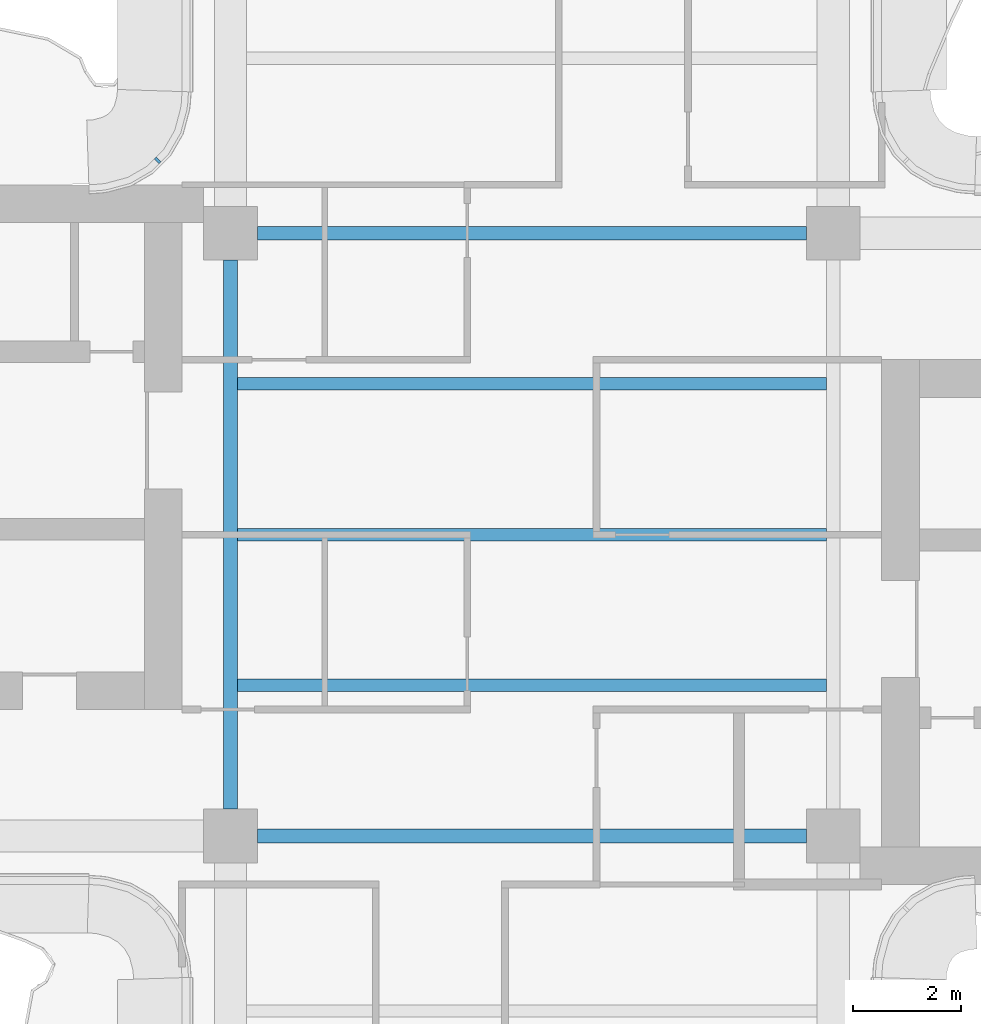
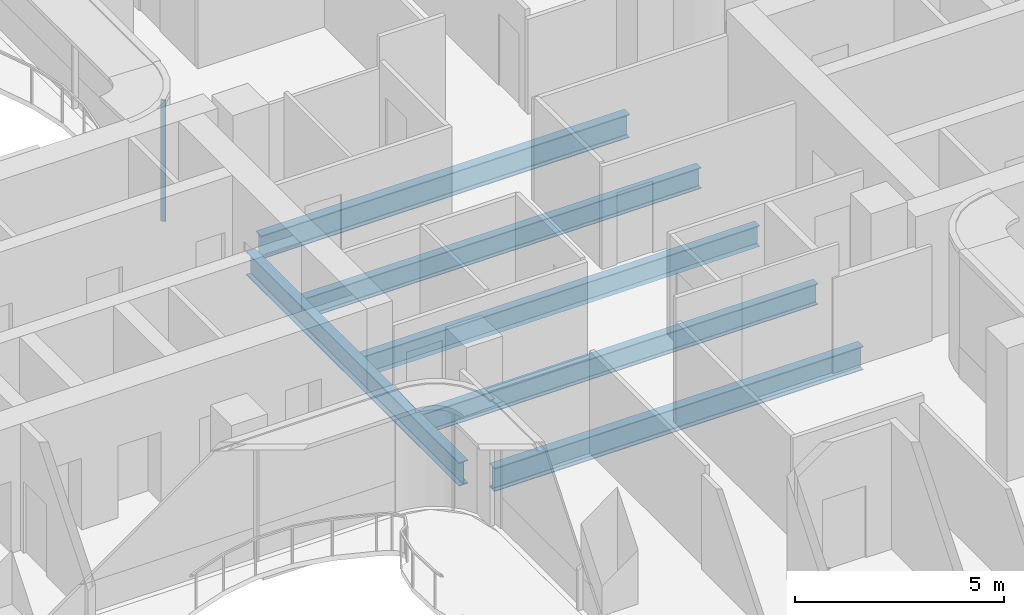
# One storey, part 4 of 16: 6 beams, 1 member, 1 element without a shape of its own.
"""IFC4 building model written with IfcOpenShell, lengths in metres."""

from ifc_helpers import new_model, si_unit, direction, frame, origin, origin_2d, place, context, subcontext, project, spatial, rectangle, i_section, extrude, source, transform, mapped, material, layer, layer_set, material_profile, profile_set, type_object, element, aggregate, save


model = new_model("IFC4")

# Units and contexts
model_context = context("Model", 3, precision=1e-05, world=origin(), true_north=direction((0.0, 1.0)))
body_context = subcontext(model_context, "Body", "Model", "MODEL_VIEW")
ifc_project = project(units=[si_unit("LENGTHUNIT", "METRE"), si_unit("AREAUNIT", "SQUARE_METRE"), si_unit("VOLUMEUNIT", "CUBIC_METRE"), si_unit("PLANEANGLEUNIT", "RADIAN"), si_unit("MASSUNIT", "GRAM", prefix="KILO")], contexts=[model_context])

# Site, building, storey
site_placement = place(None, origin())
site = spatial("IfcSite", under=ifc_project, at=site_placement, CompositionType="ELEMENT")
building_placement = place(site_placement, origin())
building = spatial("IfcBuilding", under=site, at=building_placement, Name="Trellis Farm Tower", CompositionType="ELEMENT")
storey_placement = place(building_placement, frame((0.0, 0.0, 318.39990234375)))
storey = spatial("IfcBuildingStorey", under=building, at=storey_placement, Name="L72", CompositionType="ELEMENT", Elevation=318.39990234375)

# Beams
ifc_material_1 = material(Name="Steel S355", Category="steel")
ifc_material_profile_1 = material_profile(ifc_material_1, i_section(OverallWidth=0.22900390625, OverallDepth=0.6123046875, WebThickness=0.011962890625, FlangeThickness=0.01953125, FilletRadius=0.0126953125, at=origin_2d()), Name="UB 610x229x125")
ifc_profile_set_1 = profile_set([ifc_material_profile_1], Name="Steel S355")
beam_type_1 = type_object("IfcBeamType", Name="UB 610x229x125 joist", PredefinedType="JOIST", material=ifc_profile_set_1)
shared_shape_1 = source(origin(), body_context, "Body", "SweptSolid", [
    extrude(i_section(OverallWidth=0.22900390625, OverallDepth=0.6123046875, WebThickness=0.011962890625, FlangeThickness=0.01953125, FilletRadius=0.0126953125, at=origin_2d()), origin(), (0.0, 0.0, 1.0), 10.9462890625),
])
for number, where, z_axis, x_axis, name in (
    (1, (-5.47314453125, -2.800048828125, -0.506103515625), (1.0, 0.0, 0.0), (0.0, 1.0, 0.0), "Floor beam"),
    (2, (-5.47314453125, 0.0, -0.506103515625), (1.0, 0.0, 0.0), (0.0, 1.0, 0.0), "Floor beam"),
    (3, (-5.47314453125, 2.800048828125, -0.506103515625), (1.0, 0.0, 0.0), (0.0, 1.0, 0.0), "Floor beam"),
):
    element("IfcBeam", number, at=place(storey_placement, frame(where, z_axis=z_axis, x_axis=x_axis)), inside=storey, type_object=beam_type_1, Name=name, PredefinedType="JOIST", context=body_context, shape_type="MappedRepresentation", body=[
        mapped(shared_shape_1, transform((0.0, 0.0, 0.0))),
    ])
ifc_material_profile_2 = material_profile(ifc_material_1, i_section(OverallWidth=0.253662109375, OverallDepth=0.68359375, WebThickness=0.012451171875, FlangeThickness=0.021728515625, FilletRadius=0.01513671875, at=origin_2d()), Name="UB 686x254x140")
ifc_profile_set_2 = profile_set([ifc_material_profile_2], Name="Steel S355")
beam_type_2 = type_object("IfcBeamType", Name="UB 686x254x140", PredefinedType="BEAM", material=ifc_profile_set_2)
shared_shape_2 = source(origin(), body_context, "Body", "SweptSolid", [
    extrude(i_section(OverallWidth=0.253662109375, OverallDepth=0.68359375, WebThickness=0.012451171875, FlangeThickness=0.021728515625, FilletRadius=0.01513671875, at=origin_2d()), origin(), (0.0, 0.0, 1.0), 10.2001953125),
])
for number, where, z_axis, x_axis, name in (
    (4, (-5.10009765625, -5.60009765625, -0.541748046875), (1.0, 0.0, 0.0), (0.0, 1.0, 0.0), "Girder"),
    (5, (-5.10009765625, 5.60009765625, -0.541748046875), (1.0, 0.0, 0.0), (0.0, 1.0, 0.0), "Girder"),
    (6, (-5.60009765625, -5.10009765625, -0.541748046875), (0.0, 1.0, 0.0), (-1.0, 0.0, 0.0), "Girder"),
):
    element("IfcBeam", number, at=place(storey_placement, frame(where, z_axis=z_axis, x_axis=x_axis)), inside=storey, type_object=beam_type_2, Name=name, PredefinedType="BEAM", context=body_context, shape_type="MappedRepresentation", body=[
        mapped(shared_shape_2, transform((0.0, 0.0, 0.0))),
    ])

# Curtain wall, member
ifc_material_2 = material(Name="Aluminium and glass curtain wall", Category="aluminium")
ifc_layer = layer(ifc_material_2, 0.166015625)
ifc_layer_set = layer_set([ifc_layer], Name="WINTER GARDEN CURTAIN WALL CW3")
curtain_wall_type = type_object("IfcCurtainWallType", Name="WINTER GARDEN CURTAIN WALL CW3", PredefinedType="NOTDEFINED", material=ifc_layer_set)
curtain_wall_placement = place(storey_placement, origin())
curtain_wall = element("IfcCurtainWall", 7, at=curtain_wall_placement, inside=storey, type_object=curtain_wall_type, Name="CW3 004", PredefinedType="NOTDEFINED")
ifc_material_3 = material(Name="Aluminium extrusion 6063-T6", Category="aluminium")
ifc_material_profile_3 = material_profile(ifc_material_3, rectangle(XDim=0.050048828125, YDim=0.1201171875, at=origin_2d()), Name="MULLION 50x120")
ifc_profile_set_3 = profile_set([ifc_material_profile_3], Name="Aluminium extrusion 6063-T6")
member_type = type_object("IfcMemberType", Name="CW3 MULLION 50x120", PredefinedType="MULLION", material=ifc_profile_set_3)
shared_shape_3 = source(origin(), body_context, "Body", "SweptSolid", [
    extrude(rectangle(XDim=0.050048828125, YDim=0.1201171875, at=origin_2d()), origin(), (0.0, 0.0, 1.0), 3.550048828125),
])
member_placement = place(storey_placement, frame((-6.953125, 6.953125, 0.0), z_axis=(0.0, 0.0, 1.0), x_axis=(-0.707106781187, -0.707106781187, 0.0)))
member = element("IfcMember", 8, at=member_placement, type_object=member_type, Name="MU3 004-01", PredefinedType="MULLION", context=body_context, shape_type="MappedRepresentation", body=[
    mapped(shared_shape_3, transform((0.0, 0.0, 0.0))),
])
aggregate(curtain_wall, [member])

save(model, "model.ifc")
